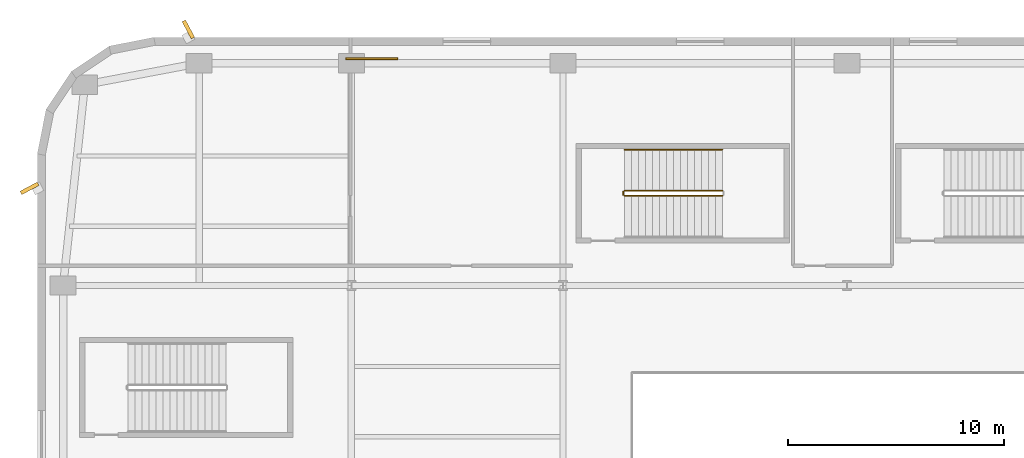
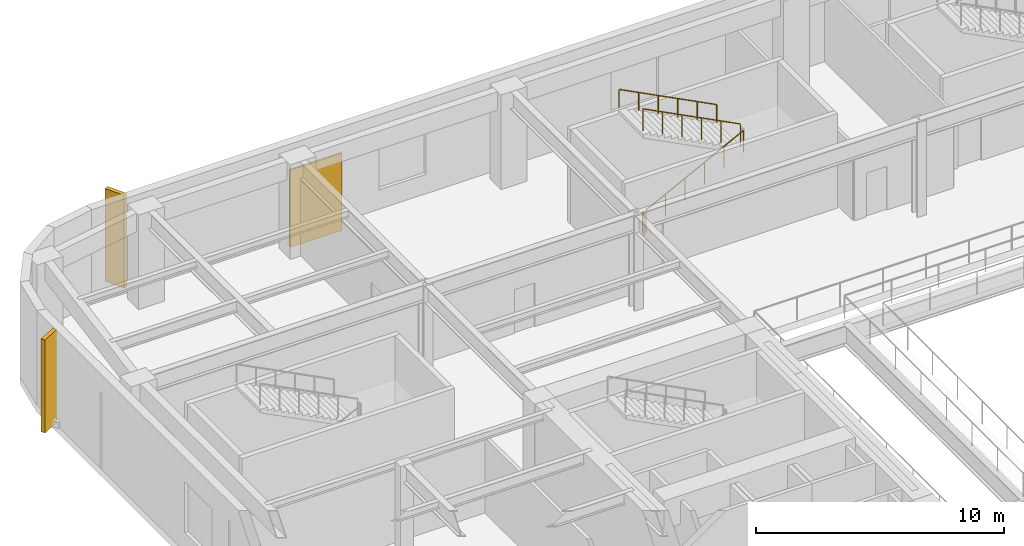
# One storey, part 20 of 24: 4 railings, 2 shading devices, 1 covering.
"""IFC4 building model written with IfcOpenShell, lengths in metres."""

from ifc_helpers import new_model, si_unit, direction, frame, origin, origin_2d, place, context, subcontext, project, spatial, rectangle, circle, extrude, material, layer, layer_set, type_object, element, save


model = new_model("IFC4")

# Units and contexts
model_context = context("Model", 3, precision=1e-05, world=origin(), true_north=direction((0.0, 1.0)))
body_context = subcontext(model_context, "Body", "Model", "MODEL_VIEW")
ifc_project = project(units=[si_unit("LENGTHUNIT", "METRE"), si_unit("AREAUNIT", "SQUARE_METRE"), si_unit("VOLUMEUNIT", "CUBIC_METRE"), si_unit("PLANEANGLEUNIT", "RADIAN"), si_unit("MASSUNIT", "GRAM", prefix="KILO")], contexts=[model_context])

# Site, building, storey
site_placement = place(None, origin())
site = spatial("IfcSite", under=ifc_project, at=site_placement, CompositionType="ELEMENT")
building_placement = place(site_placement, origin())
building = spatial("IfcBuilding", under=site, at=building_placement, Name="Kolvaren Arena Tower", CompositionType="ELEMENT")
storey_placement = place(building_placement, frame((0.0, 0.0, 23.0)))
storey = spatial("IfcBuildingStorey", under=building, at=storey_placement, Name="L04", CompositionType="ELEMENT", Elevation=23.0)

# Covering
ifc_material_1 = material(Name="Reconstituted Ontario limestone cladding panel", Category="masonry")
ifc_layer = layer(ifc_material_1, 0.0849609375)
ifc_layer_set = layer_set([ifc_layer], Name="Reconstituted Ontario limestone cladding panel")
covering_type = type_object("IfcCoveringType", Name="CLAD-PRC-1", PredefinedType="CLADDING", material=ifc_layer_set)
covering_placement = place(storey_placement, frame((15.5, 53.5, 0.10009765625), z_axis=(0.0, 0.0, 1.0), x_axis=(1.0, 0.0, 0.0)))
element("IfcCovering", 1, at=covering_placement, inside=storey, type_object=covering_type, Name="Limestone Spandrel Cladding Panel 7 (L04)", PredefinedType="CLADDING", context=body_context, shape_type="SweptSolid", body=[
    extrude(rectangle(XDim=2.39990234375, YDim=0.0849609375, at=origin_2d()), origin(), (0.0, 0.0, 1.0), 3.800048828125),
])

# Railings
ifc_material_2 = material(Name="Painted galvanized steel", Category="steel")
railing_type_1 = type_object("IfcRailingType", Name="GUARD-ST-110", PredefinedType="GUARDRAIL", material=ifc_material_2)
railing_1_placement = place(storey_placement, frame((27.199951171875, 47.14990234375, 0.166748046875)))
element("IfcRailing", 2, at=railing_1_placement, inside=storey, type_object=railing_type_1, Name="L04 ST-A6 stair guard 1", PredefinedType="GUARDRAIL", context=body_context, shape_type="SweptSolid", body=[
    extrude(circle(Radius=0.02392578125, at=origin_2d()), frame((0.0, 0.0, 1.076171875), z_axis=(0.889257211316, 0.0, 0.457407490234), x_axis=(0.0, 1.0, 0.0)), (0.0, 0.0, 1.0), 5.10107421875),
    extrude(circle(Radius=0.02099609375, at=origin_2d()), origin(), (0.0, 0.0, 1.0), 1.052001953125),
    extrude(circle(Radius=0.02099609375, at=origin_2d()), frame((0.9072265625, 0.0, 0.466552734375)), (0.0, 0.0, 1.0), 1.052001953125),
    extrude(circle(Radius=0.02099609375, at=origin_2d()), frame((1.814453125, 0.0, 0.933349609375)), (0.0, 0.0, 1.0), 1.052001953125),
    extrude(circle(Radius=0.02099609375, at=origin_2d()), frame((2.7216796875, 0.0, 1.39990234375)), (0.0, 0.0, 1.0), 1.052001953125),
    extrude(circle(Radius=0.02099609375, at=origin_2d()), frame((3.62890625, 0.0, 1.86669921875)), (0.0, 0.0, 1.0), 1.052001953125),
    extrude(circle(Radius=0.02099609375, at=origin_2d()), frame((4.5361328125, 0.0, 2.333251953125)), (0.0, 0.0, 1.0), 1.052001953125),
])
railing_2_placement = place(storey_placement, frame((31.736083984375, 47.39990234375, 2.666748046875)))
element("IfcRailing", 3, at=railing_2_placement, inside=storey, type_object=railing_type_1, Name="L04 ST-A6 stair guard 3", PredefinedType="GUARDRAIL", context=body_context, shape_type="SweptSolid", body=[
    extrude(circle(Radius=0.02392578125, at=origin_2d()), frame((0.0, 0.0, 1.076171875), z_axis=(-0.889257211316, 0.0, 0.457407490234), x_axis=(0.0, -1.0, 0.0)), (0.0, 0.0, 1.0), 5.10107421875),
    extrude(circle(Radius=0.02099609375, at=origin_2d()), origin(), (0.0, 0.0, 1.0), 1.052001953125),
    extrude(circle(Radius=0.02099609375, at=origin_2d()), frame((-0.9072265625, 0.0, 0.466552734375)), (0.0, 0.0, 1.0), 1.052001953125),
    extrude(circle(Radius=0.02099609375, at=origin_2d()), frame((-1.814453125, 0.0, 0.933349609375)), (0.0, 0.0, 1.0), 1.052001953125),
    extrude(circle(Radius=0.02099609375, at=origin_2d()), frame((-2.7216796875, 0.0, 1.39990234375)), (0.0, 0.0, 1.0), 1.052001953125),
    extrude(circle(Radius=0.02099609375, at=origin_2d()), frame((-3.62890625, 0.0, 1.86669921875)), (0.0, 0.0, 1.0), 1.052001953125),
    extrude(circle(Radius=0.02099609375, at=origin_2d()), frame((-4.5361328125, 0.0, 2.333251953125)), (0.0, 0.0, 1.0), 1.052001953125),
])
railing_3_placement = place(storey_placement, frame((27.14990234375, 47.199951171875, 0.0)))
element("IfcRailing", 4, at=railing_3_placement, inside=storey, type_object=railing_type_1, Name="L04 ST-A6 stair guard 4", PredefinedType="GUARDRAIL", context=body_context, shape_type="SweptSolid", body=[
    extrude(circle(Radius=0.02392578125, at=origin_2d()), frame((0.0, 0.0, 1.076171875), z_axis=(0.0, 1.0, 0.0), x_axis=(-1.0, 0.0, 0.0)), (0.0, 0.0, 1.0), 0.150146484375),
    extrude(circle(Radius=0.02099609375, at=origin_2d()), origin(), (0.0, 0.0, 1.0), 1.052001953125),
    extrude(circle(Radius=0.02099609375, at=origin_2d()), frame((0.0, 0.150146484375, 0.0)), (0.0, 0.0, 1.0), 1.052001953125),
])
ifc_material_3 = material(Name="Brushed stainless steel handrail", Category="steel")
railing_type_2 = type_object("IfcRailingType", Name="HRAIL-900", PredefinedType="HANDRAIL", material=ifc_material_3)
railing_4_placement = place(storey_placement, frame((31.736083984375, 49.300048828125, 2.666748046875)))
element("IfcRailing", 5, at=railing_4_placement, inside=storey, type_object=railing_type_2, Name="L04 ST-A6 stair handrail 2", PredefinedType="HANDRAIL", context=body_context, shape_type="SweptSolid", body=[
    extrude(circle(Radius=0.02392578125, at=origin_2d()), frame((0.0, 0.0, 0.8759765625), z_axis=(-0.889257211316, 0.0, 0.457407490234), x_axis=(0.0, -1.0, 0.0)), (0.0, 0.0, 1.0), 5.10107421875),
    extrude(circle(Radius=0.02099609375, at=origin_2d()), origin(), (0.0, 0.0, 1.0), 0.851806640625),
    extrude(circle(Radius=0.02099609375, at=origin_2d()), frame((-0.9072265625, 0.0, 0.466552734375)), (0.0, 0.0, 1.0), 0.851806640625),
    extrude(circle(Radius=0.02099609375, at=origin_2d()), frame((-1.814453125, 0.0, 0.933349609375)), (0.0, 0.0, 1.0), 0.851806640625),
    extrude(circle(Radius=0.02099609375, at=origin_2d()), frame((-2.7216796875, 0.0, 1.39990234375)), (0.0, 0.0, 1.0), 0.851806640625),
    extrude(circle(Radius=0.02099609375, at=origin_2d()), frame((-3.62890625, 0.0, 1.86669921875)), (0.0, 0.0, 1.0), 0.851806640625),
    extrude(circle(Radius=0.02099609375, at=origin_2d()), frame((-4.5361328125, 0.0, 2.333251953125)), (0.0, 0.0, 1.0), 0.851806640625),
])

# Shading devices
ifc_material_4 = material(Name="Precast architectural concrete C50/60 rib fin", Category="concrete")
shading_device_type = type_object("IfcShadingDeviceType", Name="SHAD-FIN-28", PredefinedType="USERDEFINED", material=ifc_material_4)
for number, where, z_axis, x_axis, name in (
    (6, (7.0, 54.860107421875, 0.02001953125), (0.0, 0.0, 1.0), (-0.469471562786, 0.882947592859, 0.0), "Arena Podium 28-Deg Precast Fin (L04)"),
    (7, (-0.360107421875, 47.5, 0.02001953125), (0.0, 0.0, 1.0), (-0.882947592859, -0.469471562786, 0.0), "Arena Podium 28-Deg Precast Fin (L04)"),
):
    element("IfcShadingDevice", number, at=place(storey_placement, frame(where, z_axis=z_axis, x_axis=x_axis)), inside=storey, type_object=shading_device_type, Name=name, ObjectType="FIN", PredefinedType="USERDEFINED", context=body_context, shape_type="SweptSolid", body=[
        extrude(rectangle(XDim=0.89990234375, YDim=0.179931640625, at=origin_2d()), origin(), (0.0, 0.0, 1.0), 4.570068359375),
    ])

save(model, "model.ifc")
